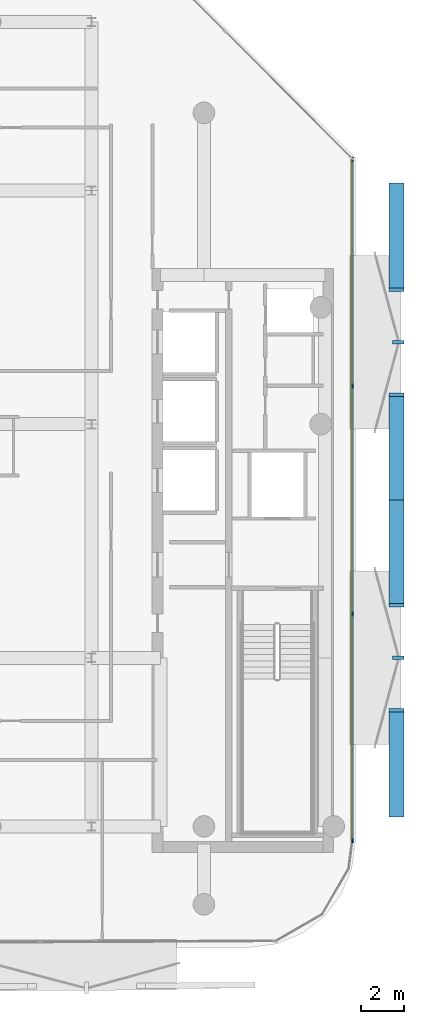
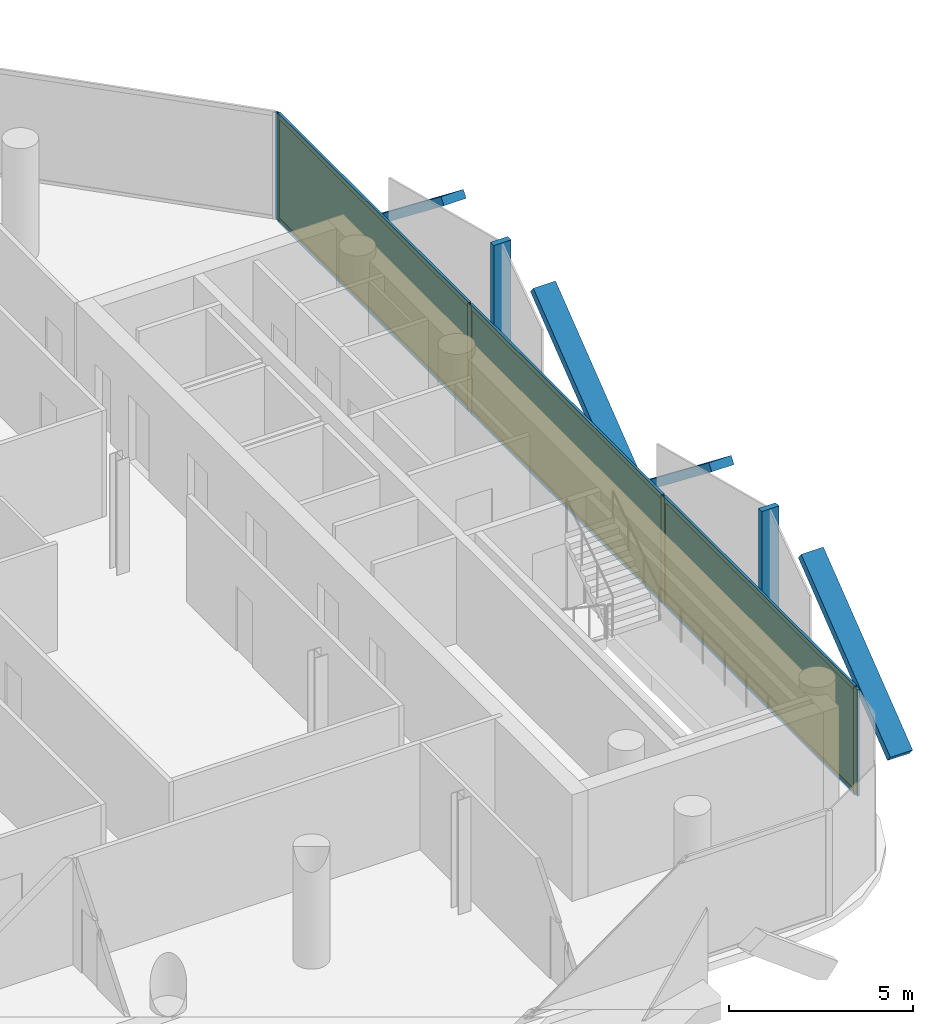
# One storey, part 11 of 15: 16 members, 3 plates, 1 curtain wall.
"""IFC4 building model written with IfcOpenShell, lengths in metres."""

import ifcopenshell
import ifcopenshell.guid

model = None  # the IFC model being written
_history = None  # IfcOwnerHistory: only IFC2X3 demands one
_inside = {}  # id of a spatial element -> (the spatial element, [elements in it])
_under = {}  # id of a project, library or spatial element -> (it, [spatial elements below it])
_declared = {}  # id of a project -> (the project, [libraries it declares])
_typed = {}  # id of a type object -> (the type object, [elements of that type])
_made_of = {}  # id of a material, layer set ... -> (it, [elements and type objects made of it])


def new_model(schema):
    """Start an empty IFC model of exactly this schema.

    Asked for "IFC4X3", IfcOpenShell would pick the latest addendum, in which some entities
    have other attributes; the version numbers below select the first issue.
    IFC2X3 requires an IfcOwnerHistory on every rooted entity: one is made here for all.
    """
    global model, _history
    if schema == "IFC4X3":
        model = ifcopenshell.file(schema_version=(4, 3, 0, 0))
    else:
        model = ifcopenshell.file(schema=schema)
    _inside.clear()
    _under.clear()
    _declared.clear()
    _typed.clear()
    _made_of.clear()
    _history = None
    if model.schema == "IFC2X3":
        org = make("IfcOrganization", Name="unknown")
        user = make(
            "IfcPersonAndOrganization",
            ThePerson=make("IfcPerson", FamilyName="unknown"),
            TheOrganization=org,
        )
        app = make(
            "IfcApplication",
            ApplicationDeveloper=org,
            Version="unknown",
            ApplicationFullName="unknown",
            ApplicationIdentifier="unknown",
        )
        _history = make(
            "IfcOwnerHistory",
            OwningUser=user,
            OwningApplication=app,
            ChangeAction="ADDED",
            CreationDate=0,
        )
    return model


def make(cls, **values):
    """One entity of the class cls with the attributes given. An attribute that is None is left unset."""
    return model.create_entity(
        cls, **{name: value for name, value in values.items() if value is not None}
    )


def rooted(cls, **values):
    """An entity with a GlobalId (a new one), such as an element, a storey or a relation."""
    return make(cls, GlobalId=ifcopenshell.guid.new(), OwnerHistory=_history, **values)


def si_unit(unit_type, name, prefix=None):
    """IfcSIUnit, for example si_unit("LENGTHUNIT", "METRE", prefix="MILLI")."""
    return make("IfcSIUnit", UnitType=unit_type, Prefix=prefix, Name=name)


def assignment(units):
    """IfcUnitAssignment: the units of a project."""
    return None if units is None else make("IfcUnitAssignment", Units=units)


def point(xyz):
    """IfcCartesianPoint."""
    return None if xyz is None else make("IfcCartesianPoint", Coordinates=xyz)


def direction(xyz):
    """IfcDirection."""
    return None if xyz is None else make("IfcDirection", DirectionRatios=xyz)


def frame(location, z_axis=None, x_axis=None):
    """IfcAxis2Placement3D, a coordinate frame: its origin and axes. An axis left out is left unset."""
    return make(
        "IfcAxis2Placement3D",
        Location=point(location),
        Axis=direction(z_axis),
        RefDirection=direction(x_axis),
    )


def frame_2d(location, x_axis=None):
    """IfcAxis2Placement2D, a coordinate frame in the plane: its origin and x axis."""
    return make(
        "IfcAxis2Placement2D", Location=point(location), RefDirection=direction(x_axis)
    )


def origin():
    """The frame at (0, 0, 0) with its axes left unset."""
    return frame((0.0, 0.0, 0.0))


def origin_2d():
    """The frame at (0, 0) in the plane with its x axis left unset."""
    return frame_2d((0.0, 0.0))


def place(relative_to, where):
    """IfcLocalPlacement: puts the frame where relative to a parent placement (None: the world)."""
    return make(
        "IfcLocalPlacement", PlacementRelTo=relative_to, RelativePlacement=where
    )


def context(
    kind, dimensions, precision=None, world=None, true_north=None, identifier=None
):
    """IfcGeometricRepresentationContext, for example the 3D "Model" context."""
    return make(
        "IfcGeometricRepresentationContext",
        ContextIdentifier=identifier,
        ContextType=kind,
        CoordinateSpaceDimension=dimensions,
        Precision=precision,
        WorldCoordinateSystem=world,
        TrueNorth=true_north,
    )


def subcontext(parent, identifier, kind, view, scale=None):
    """IfcGeometricRepresentationSubContext, for example "Body" below "Model"."""
    return make(
        "IfcGeometricRepresentationSubContext",
        ContextIdentifier=identifier,
        ContextType=kind,
        ParentContext=parent,
        TargetScale=scale,
        TargetView=view,
    )


def project(units=None, contexts=None):
    """IfcProject with its units and contexts."""
    return rooted(
        "IfcProject",
        Name="project",
        RepresentationContexts=contexts,
        UnitsInContext=assignment(units),
    )


def spatial(cls, under=None, at=None, **own):
    """A site, building, storey or space (cls), placed at a placement, below another one or the project."""
    s = rooted(cls, ObjectPlacement=at, **own)
    if under is not None:
        _under.setdefault(under.id(), (under, []))[1].append(s)
    return s


def profile(cls, at=None, kind="AREA", **sizes):
    """A parametric profile (cls). Its sizes go by their IFC names, for example OverallWidth=200.0."""
    return make(cls, ProfileType=kind, Position=at, **sizes)


def rectangle(**sizes):
    """IfcRectangleProfileDef."""
    return profile("IfcRectangleProfileDef", **sizes)


def extrude(swept, where, along, depth):
    """IfcExtrudedAreaSolid: the profile swept, set in the frame where, extruded along a direction by depth."""
    return make(
        "IfcExtrudedAreaSolid",
        SweptArea=swept,
        Position=where,
        ExtrudedDirection=direction(along),
        Depth=depth,
    )


def shape(context_of_items, identifier, shape_type, items):
    """IfcShapeRepresentation: the items that make up one representation, for example the "Body"."""
    return make(
        "IfcShapeRepresentation",
        ContextOfItems=context_of_items,
        RepresentationIdentifier=identifier,
        RepresentationType=shape_type,
        Items=items,
    )


def material(Name=None, Category=None):
    """IfcMaterial."""
    return make("IfcMaterial", Name=Name, Category=Category)


def layer(
    of_material, thickness, ventilated=None, Name=None, Category=None, Priority=None
):
    """IfcMaterialLayer: one layer of a wall or slab, of a material (None: an air gap)."""
    return make(
        "IfcMaterialLayer",
        Material=of_material,
        LayerThickness=thickness,
        IsVentilated=ventilated,
        Name=Name,
        Category=Category,
        Priority=Priority,
    )


def layer_set(layers, Name=None):
    """IfcMaterialLayerSet."""
    return make("IfcMaterialLayerSet", MaterialLayers=layers, LayerSetName=Name)


def material_profile(
    of_material, cross_section, Name=None, Category=None, Priority=None
):
    """IfcMaterialProfile: a cross section and its material."""
    return make(
        "IfcMaterialProfile",
        Name=Name,
        Material=of_material,
        Profile=cross_section,
        Priority=Priority,
        Category=Category,
    )


def profile_set(profiles, Name=None, composite=None):
    """IfcMaterialProfileSet."""
    return make(
        "IfcMaterialProfileSet",
        Name=Name,
        MaterialProfiles=profiles,
        CompositeProfile=composite,
    )


def made_of(thing, what):
    """Note that an element or type object is made of a material, layer set ...; save() writes the relation."""
    if what is not None:
        _made_of.setdefault(what.id(), (what, []))[1].append(thing)
    return thing


def type_object(cls, material=None, **own):
    """A type object (cls), such as IfcWallType, which elements share."""
    return made_of(rooted(cls, **own), material)


def element(
    cls,
    number,
    at=None,
    inside=None,
    cuts=None,
    type_object=None,
    material=None,
    context=None,
    identifier="Body",
    shape_type=None,
    held_by="IfcProductDefinitionShape",
    body=None,
    shapes=None,
    **own,
):
    """One element of the class cls, such as IfcWall. Its Tag is "e" and its number.

    at: its placement. inside: the storey or other place that contains it. cuts: it is an
    opening in that element (IfcRelVoidsElement). A single representation is given by context,
    identifier, shape_type and body (its items); several are given by shapes. held_by: the class
    of the entity that holds the representations. save() writes the other relations.
    """
    e = rooted(cls, Tag="e%d" % number, ObjectPlacement=at, **own)
    if body is not None:
        shapes = [shape(context, identifier, shape_type, body)]
    if shapes is not None:
        e.Representation = make(held_by, Representations=shapes)
    if inside is not None:
        _inside.setdefault(inside.id(), (inside, []))[1].append(e)
    if cuts is not None:
        rooted(
            "IfcRelVoidsElement", RelatingBuildingElement=cuts, RelatedOpeningElement=e
        )
    if type_object is not None:
        _typed.setdefault(type_object.id(), (type_object, []))[1].append(e)
    return made_of(e, material)


def aggregate(whole, parts):
    """IfcRelAggregates: a whole, such as a stair, and the parts it consists of."""
    return rooted("IfcRelAggregates", RelatingObject=whole, RelatedObjects=parts)


def save(model, path):
    """Write the relations noted so far, then the file.

    IfcRelAggregates (storeys below a building ...), IfcRelContainedInSpatialStructure (elements
    in a storey), IfcRelDefinesByType, IfcRelAssociatesMaterial and IfcRelDeclares: one each for
    every whole, place, type object, material and project.
    """
    for whole, parts in _under.values():
        aggregate(whole, parts)
    for where, things in _inside.values():
        rooted(
            "IfcRelContainedInSpatialStructure",
            RelatedElements=things,
            RelatingStructure=where,
        )
    for kind, things in _typed.values():
        rooted("IfcRelDefinesByType", RelatedObjects=things, RelatingType=kind)
    for what, things in _made_of.values():
        rooted("IfcRelAssociatesMaterial", RelatedObjects=things, RelatingMaterial=what)
    for by, libraries in _declared.values():
        rooted("IfcRelDeclares", RelatingContext=by, RelatedDefinitions=libraries)
    model.write(path)


model = new_model("IFC4")

# Units and contexts
model_context = context("Model", 3, precision=1e-05, world=origin(), true_north=direction((0.0, 1.0)))
body_context = subcontext(model_context, "Body", "Model", "MODEL_VIEW")
ifc_project = project(units=[si_unit("LENGTHUNIT", "METRE"), si_unit("AREAUNIT", "SQUARE_METRE"), si_unit("VOLUMEUNIT", "CUBIC_METRE"), si_unit("PLANEANGLEUNIT", "RADIAN"), si_unit("MASSUNIT", "GRAM", prefix="KILO")], contexts=[model_context])

# Member
ifc_material_1 = material(Name="Anodised Bronze Aluminium 6063-T6", Category="aluminium")
ifc_material_profile_1 = material_profile(ifc_material_1, rectangle(XDim=0.260009765625, YDim=0.699951171875, at=origin_2d()))
ifc_profile_set_1 = profile_set([ifc_material_profile_1], Name="Anodised Bronze Aluminium 6063-T6")
member_type_1 = type_object("IfcMemberType", Name="Bronze Diamond Solar-Screen Lattice Rib BDL-700", PredefinedType="MULLION", material=ifc_profile_set_1)
site_placement = place(None, origin())
building_placement = place(site_placement, origin())
storey_placement = place(building_placement, frame((0.0, 0.0, 289.0)))
member_1_placement = place(storey_placement, frame((23.300048828125, 11.08203125, -0.1298828125), z_axis=(0.0, -0.787920593539, 0.615776857536), x_axis=(0.0, -0.615776857536, -0.787920593539)))
member_1 = element("IfcMember", 1, at=member_1_placement, type_object=member_type_1, Name="L69 Bronze Diamond Solar Screen Lattice Rib 484A", PredefinedType="MULLION", context=body_context, shape_type="SweptSolid", body=[
    extrude(rectangle(XDim=0.260009765625, YDim=0.699951171875, at=origin_2d()), origin(), (0.0, 0.0, 1.0), 6.170654296875),
])

member_2_placement = place(storey_placement, frame((23.300048828125, -3.50439453125, -0.1298828125), z_axis=(0.0, 0.787920593539, 0.615776857536), x_axis=(0.0, 0.615776857536, -0.787920593539)))
member_2 = element("IfcMember", 2, at=member_2_placement, type_object=member_type_1, Name="L69 Bronze Diamond Solar Screen Lattice Rib 484B", PredefinedType="MULLION", context=body_context, shape_type="SweptSolid", body=[
    extrude(rectangle(XDim=0.260009765625, YDim=0.699951171875, at=origin_2d()), origin(), (0.0, 0.0, 1.0), 6.170654296875),
])

member_3_placement = place(storey_placement, frame((23.300048828125, -3.50439453125, -0.1298828125), z_axis=(0.0, -0.787920593539, 0.615776857536), x_axis=(0.0, -0.615776857536, -0.787920593539)))
member_3 = element("IfcMember", 3, at=member_3_placement, type_object=member_type_1, Name="L69 Bronze Diamond Solar Screen Lattice Rib 485A", PredefinedType="MULLION", context=body_context, shape_type="SweptSolid", body=[
    extrude(rectangle(XDim=0.260009765625, YDim=0.699951171875, at=origin_2d()), origin(), (0.0, 0.0, 1.0), 6.170654296875),
])

member_4_placement = place(storey_placement, frame((23.300048828125, -18.0908203125, -0.1298828125), z_axis=(0.0, 0.787920593539, 0.615776857536), x_axis=(0.0, 0.615776857536, -0.787920593539)))
member_4 = element("IfcMember", 4, at=member_4_placement, type_object=member_type_1, Name="L69 Bronze Diamond Solar Screen Lattice Rib 485B", PredefinedType="MULLION", context=body_context, shape_type="SweptSolid", body=[
    extrude(rectangle(XDim=0.260009765625, YDim=0.699951171875, at=origin_2d()), origin(), (0.0, 0.0, 1.0), 6.170654296875),
])

ifc_material_2 = material(Name="Anodised Bronze Aluminium 6063-T6", Category="aluminium")
ifc_material_profile_2 = material_profile(ifc_material_2, rectangle(XDim=0.179931640625, YDim=0.5400390625, at=origin_2d()))
ifc_profile_set_2 = profile_set([ifc_material_profile_2], Name="Anodised Bronze Aluminium 6063-T6")
member_type_2 = type_object("IfcMemberType", Name="Bronze Solar-Screen Vertical Fold Fin BSF-540", PredefinedType="MULLION", material=ifc_profile_set_2)
member_5_placement = place(storey_placement, frame((23.3798828125, 3.788818359375, -0.1298828125), z_axis=(0.0, 0.0, 1.0), x_axis=(0.0, -1.0, 0.0)))
member_5 = element("IfcMember", 5, at=member_5_placement, type_object=member_type_2, Name="L69 Bronze Solar Screen Vertical Fin 484", PredefinedType="MULLION", context=body_context, shape_type="SweptSolid", body=[
    extrude(rectangle(XDim=0.179931640625, YDim=0.5400390625, at=origin_2d()), origin(), (0.0, 0.0, 1.0), 3.7998046875),
])

member_6_placement = place(storey_placement, frame((23.3798828125, -10.797607421875, -0.1298828125), z_axis=(0.0, 0.0, 1.0), x_axis=(0.0, -1.0, 0.0)))
member_6 = element("IfcMember", 6, at=member_6_placement, type_object=member_type_2, Name="L69 Bronze Solar Screen Vertical Fin 485", PredefinedType="MULLION", context=body_context, shape_type="SweptSolid", body=[
    extrude(rectangle(XDim=0.179931640625, YDim=0.5400390625, at=origin_2d()), origin(), (0.0, 0.0, 1.0), 3.7998046875),
])

ifc_material_3 = material(Name="Anodised Bronze Aluminium 6063-T6", Category="aluminium")
ifc_material_profile_3 = material_profile(ifc_material_3, rectangle(XDim=0.074951171875, YDim=0.2099609375, at=origin_2d()))
ifc_profile_set_3 = profile_set([ifc_material_profile_3], Name="Anodised Bronze Aluminium 6063-T6")
member_type_3 = type_object("IfcMemberType", Name="CW-CRN Mullion 75x210", PredefinedType="MULLION", material=ifc_profile_set_3)
member_7_placement = place(storey_placement, frame((21.260009765625, 12.244384765625, 0.0), z_axis=(0.0, 0.0, 1.0), x_axis=(1.0, 0.0, 0.0)))
member_7 = element("IfcMember", 7, at=member_7_placement, type_object=member_type_3, Name="CW-CRN mullion 1", PredefinedType="MULLION", context=body_context, shape_type="SweptSolid", body=[
    extrude(rectangle(XDim=0.074951171875, YDim=0.2099609375, at=origin_2d()), origin(), (0.0, 0.0, 1.0), 3.5400390625),
])

member_8_placement = place(storey_placement, frame((21.260009765625, 1.7578125, 0.0), z_axis=(0.0, 0.0, 1.0), x_axis=(1.0, 0.0, 0.0)))
member_8 = element("IfcMember", 8, at=member_8_placement, type_object=member_type_3, Name="CW-CRN mullion 2", PredefinedType="MULLION", context=body_context, shape_type="SweptSolid", body=[
    extrude(rectangle(XDim=0.074951171875, YDim=0.2099609375, at=origin_2d()), origin(), (0.0, 0.0, 1.0), 3.5400390625),
])

member_9_placement = place(storey_placement, frame((21.260009765625, -8.7666015625, 0.0), z_axis=(0.0, 0.0, 1.0), x_axis=(1.0, 0.0, 0.0)))
member_9 = element("IfcMember", 9, at=member_9_placement, type_object=member_type_3, Name="CW-CRN mullion 3", PredefinedType="MULLION", context=body_context, shape_type="SweptSolid", body=[
    extrude(rectangle(XDim=0.074951171875, YDim=0.2099609375, at=origin_2d()), origin(), (0.0, 0.0, 1.0), 3.5400390625),
])

member_10_placement = place(storey_placement, frame((21.260009765625, -19.25341796875, 0.0), z_axis=(0.0, 0.0, 1.0), x_axis=(1.0, 0.0, 0.0)))
member_10 = element("IfcMember", 10, at=member_10_placement, type_object=member_type_3, Name="CW-CRN mullion 4", PredefinedType="MULLION", context=body_context, shape_type="SweptSolid", body=[
    extrude(rectangle(XDim=0.074951171875, YDim=0.2099609375, at=origin_2d()), origin(), (0.0, 0.0, 1.0), 3.5400390625),
])

ifc_material_4 = material(Name="Anodised Bronze Aluminium 6063-T6", Category="aluminium")
ifc_material_profile_4 = material_profile(ifc_material_4, rectangle(XDim=0.074951171875, YDim=0.1650390625, at=origin_2d()))
ifc_profile_set_4 = profile_set([ifc_material_profile_4], Name="Anodised Bronze Aluminium 6063-T6")
member_type_4 = type_object("IfcMemberType", Name="CW-CRN Transom 75x165", PredefinedType="USERDEFINED", material=ifc_profile_set_4)
member_11_placement = place(storey_placement, frame((21.260009765625, 12.20703125, 0.03759765625), z_axis=(0.0, -1.0, 0.0), x_axis=(1.0, 0.0, 0.0)))
member_11 = element("IfcMember", 11, at=member_11_placement, type_object=member_type_4, Name="CW-CRN transom 1.1", ObjectType="TRANSOM", PredefinedType="USERDEFINED", context=body_context, shape_type="SweptSolid", body=[
    extrude(rectangle(XDim=0.074951171875, YDim=0.1650390625, at=origin_2d()), origin(), (0.0, 0.0, 1.0), 10.411865234375),
])

member_12_placement = place(storey_placement, frame((21.260009765625, 12.20703125, 3.50244140625), z_axis=(0.0, -1.0, 0.0), x_axis=(1.0, 0.0, 0.0)))
member_12 = element("IfcMember", 12, at=member_12_placement, type_object=member_type_4, Name="CW-CRN transom 1.2", ObjectType="TRANSOM", PredefinedType="USERDEFINED", context=body_context, shape_type="SweptSolid", body=[
    extrude(rectangle(XDim=0.074951171875, YDim=0.1650390625, at=origin_2d()), origin(), (0.0, 0.0, 1.0), 10.411865234375),
])

member_13_placement = place(storey_placement, frame((21.260009765625, 1.72021484375, 0.03759765625), z_axis=(0.0, -1.0, 0.0), x_axis=(1.0, 0.0, 0.0)))
member_13 = element("IfcMember", 13, at=member_13_placement, type_object=member_type_4, Name="CW-CRN transom 2.1", ObjectType="TRANSOM", PredefinedType="USERDEFINED", context=body_context, shape_type="SweptSolid", body=[
    extrude(rectangle(XDim=0.074951171875, YDim=0.1650390625, at=origin_2d()), origin(), (0.0, 0.0, 1.0), 10.44921875),
])

member_14_placement = place(storey_placement, frame((21.260009765625, 1.72021484375, 3.50244140625), z_axis=(0.0, -1.0, 0.0), x_axis=(1.0, 0.0, 0.0)))
member_14 = element("IfcMember", 14, at=member_14_placement, type_object=member_type_4, Name="CW-CRN transom 2.2", ObjectType="TRANSOM", PredefinedType="USERDEFINED", context=body_context, shape_type="SweptSolid", body=[
    extrude(rectangle(XDim=0.074951171875, YDim=0.1650390625, at=origin_2d()), origin(), (0.0, 0.0, 1.0), 10.44921875),
])

member_15_placement = place(storey_placement, frame((21.260009765625, -8.803955078125, 0.03759765625), z_axis=(0.0, -1.0, 0.0), x_axis=(1.0, 0.0, 0.0)))
member_15 = element("IfcMember", 15, at=member_15_placement, type_object=member_type_4, Name="CW-CRN transom 3.1", ObjectType="TRANSOM", PredefinedType="USERDEFINED", context=body_context, shape_type="SweptSolid", body=[
    extrude(rectangle(XDim=0.074951171875, YDim=0.1650390625, at=origin_2d()), origin(), (0.0, 0.0, 1.0), 10.411865234375),
])

member_16_placement = place(storey_placement, frame((21.260009765625, -8.803955078125, 3.50244140625), z_axis=(0.0, -1.0, 0.0), x_axis=(1.0, 0.0, 0.0)))
member_16 = element("IfcMember", 16, at=member_16_placement, type_object=member_type_4, Name="CW-CRN transom 3.2", ObjectType="TRANSOM", PredefinedType="USERDEFINED", context=body_context, shape_type="SweptSolid", body=[
    extrude(rectangle(XDim=0.074951171875, YDim=0.1650390625, at=origin_2d()), origin(), (0.0, 0.0, 1.0), 10.411865234375),
])

# Plate
ifc_material_5 = material(Name="Low-E Solar Control Laminated Glass", Category="glass")
ifc_layer_1 = layer(ifc_material_5, 0.035888671875, Name="Low-E Solar Control Laminated Glass")
ifc_layer_set_1 = layer_set([ifc_layer_1], Name="Low-E Solar Control Laminated Glass")
plate_type = type_object("IfcPlateType", Name="CW-CRN Low-E Double Glazed Panel 36mm", PredefinedType="CURTAIN_PANEL", material=ifc_layer_set_1)
plate_1_placement = place(storey_placement, frame((21.260009765625, 7.001220703125, 0.0751953125), z_axis=(0.0, 0.0, 1.0), x_axis=(0.0, -1.0, 0.0)))
plate_1 = element("IfcPlate", 17, at=plate_1_placement, type_object=plate_type, Name="CW-CRN panel 1.1", PredefinedType="CURTAIN_PANEL", context=body_context, shape_type="SweptSolid", body=[
    extrude(rectangle(XDim=10.411865234375, YDim=0.035888671875, at=origin_2d()), origin(), (0.0, 0.0, 1.0), 3.389892578125),
])

plate_2_placement = place(storey_placement, frame((21.260009765625, -3.50439453125, 0.0751953125), z_axis=(0.0, 0.0, 1.0), x_axis=(0.0, -1.0, 0.0)))
plate_2 = element("IfcPlate", 18, at=plate_2_placement, type_object=plate_type, Name="CW-CRN panel 2.1", PredefinedType="CURTAIN_PANEL", context=body_context, shape_type="SweptSolid", body=[
    extrude(rectangle(XDim=10.44921875, YDim=0.035888671875, at=origin_2d()), origin(), (0.0, 0.0, 1.0), 3.389892578125),
])

plate_3_placement = place(storey_placement, frame((21.260009765625, -14.010009765625, 0.0751953125), z_axis=(0.0, 0.0, 1.0), x_axis=(0.0, -1.0, 0.0)))
plate_3 = element("IfcPlate", 19, at=plate_3_placement, type_object=plate_type, Name="CW-CRN panel 3.1", PredefinedType="CURTAIN_PANEL", context=body_context, shape_type="SweptSolid", body=[
    extrude(rectangle(XDim=10.411865234375, YDim=0.035888671875, at=origin_2d()), origin(), (0.0, 0.0, 1.0), 3.389892578125),
])

# Site, building, storey
site = spatial("IfcSite", under=ifc_project, at=site_placement, CompositionType="ELEMENT")
building = spatial("IfcBuilding", under=site, at=building_placement, Name="Khairoan Windgate Tower", CompositionType="ELEMENT")
storey = spatial("IfcBuildingStorey", under=building, at=storey_placement, Name="L69", CompositionType="ELEMENT", Elevation=289.0)

# Curtain wall
ifc_material_6 = material(Name="Anodised Bronze Aluminium 6063-T6", Category="aluminium")
ifc_layer_2 = layer(ifc_material_6, 0.2099609375, Name="Anodised Bronze Aluminium 6063-T6")
ifc_layer_set_2 = layer_set([ifc_layer_2], Name="Anodised Bronze Aluminium 6063-T6")
curtain_wall_type = type_object("IfcCurtainWallType", Name="Crown Observation and Vitrine Curtain Wall CW-CRN", PredefinedType="NOTDEFINED", material=ifc_layer_set_2)
curtain_wall_placement = place(storey_placement, frame((21.260009765625, 12.281982421875, 0.0), z_axis=(0.0, 0.0, 1.0), x_axis=(0.0, -1.0, 0.0)))
curtain_wall = element("IfcCurtainWall", 20, at=curtain_wall_placement, inside=storey, type_object=curtain_wall_type, Name="L69 Unitised Curtain Wall 9", PredefinedType="NOTDEFINED", context=body_context, shape_type="SweptSolid", body=[
    extrude(rectangle(XDim=31.57275390625, YDim=0.010009765625, at=frame_2d((15.786376953125, 0.0))), origin(), (0.0, 0.0, 1.0), 3.5400390625),
])

aggregate(curtain_wall, [member_7, member_8, member_9, member_10, member_11, member_12, plate_1, member_13, member_14, plate_2, member_15, member_16, plate_3, member_1, member_2, member_5, member_3, member_4, member_6])

save(model, "model.ifc")
